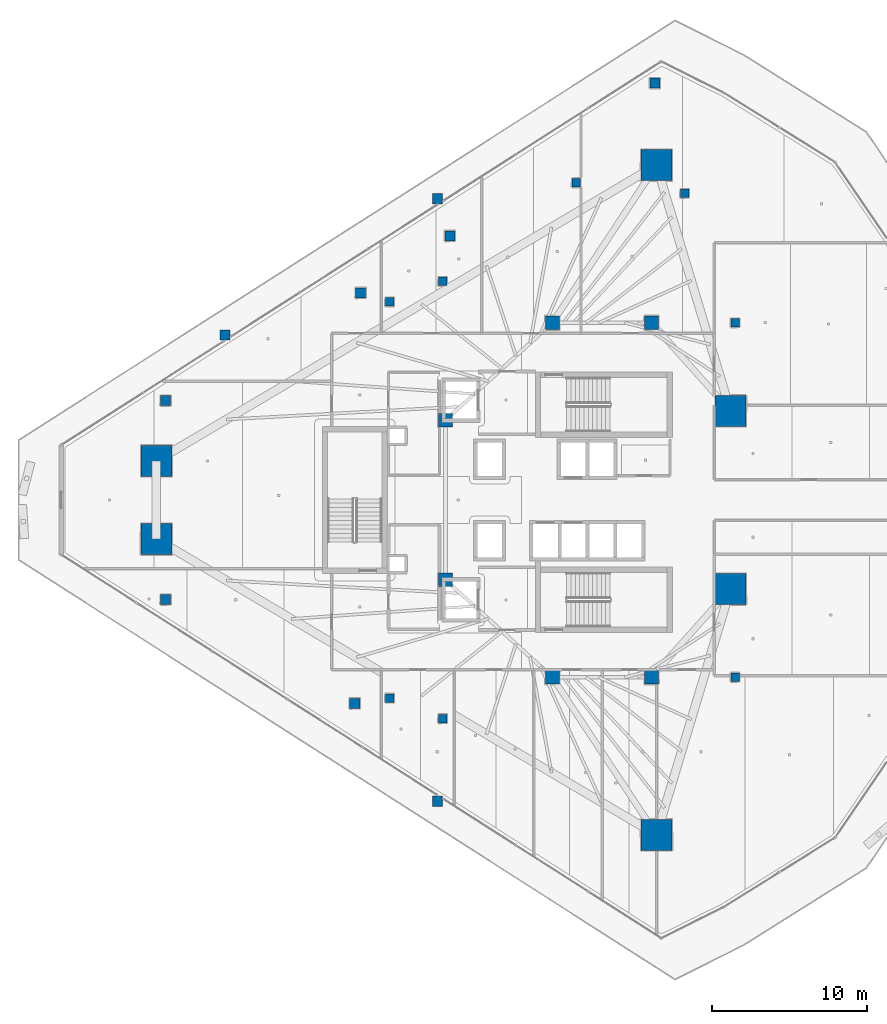
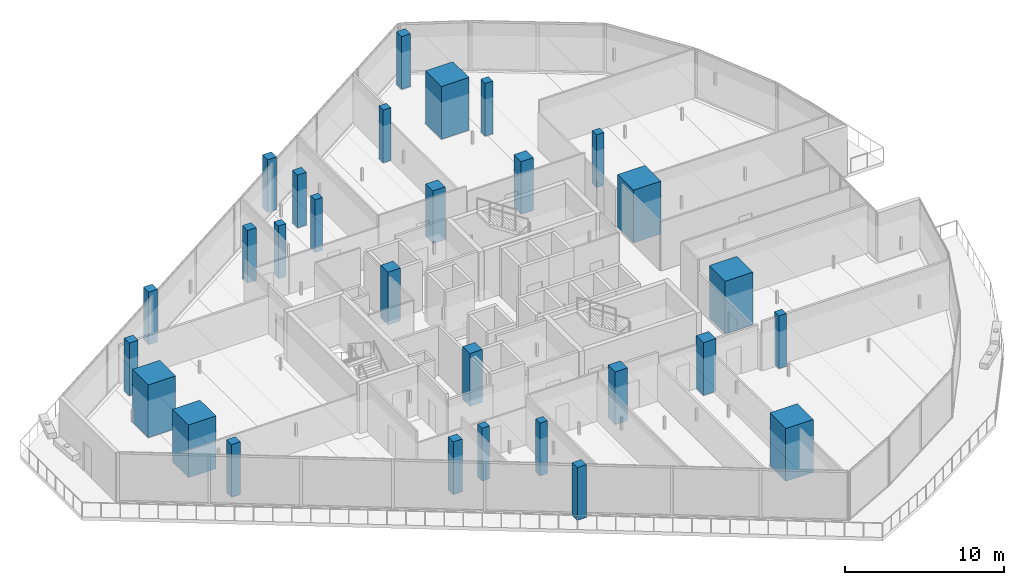
# One storey, part 1 of 37: 29 columns.
"""IFC4 building model written with IfcOpenShell, lengths in metres."""

import ifcopenshell
import ifcopenshell.guid

model = None  # the IFC model being written
_history = None  # IfcOwnerHistory: only IFC2X3 demands one
_inside = {}  # id of a spatial element -> (the spatial element, [elements in it])
_under = {}  # id of a project, library or spatial element -> (it, [spatial elements below it])
_declared = {}  # id of a project -> (the project, [libraries it declares])
_typed = {}  # id of a type object -> (the type object, [elements of that type])
_made_of = {}  # id of a material, layer set ... -> (it, [elements and type objects made of it])


def new_model(schema):
    """Start an empty IFC model of exactly this schema.

    Asked for "IFC4X3", IfcOpenShell would pick the latest addendum, in which some entities
    have other attributes; the version numbers below select the first issue.
    IFC2X3 requires an IfcOwnerHistory on every rooted entity: one is made here for all.
    """
    global model, _history
    if schema == "IFC4X3":
        model = ifcopenshell.file(schema_version=(4, 3, 0, 0))
    else:
        model = ifcopenshell.file(schema=schema)
    _inside.clear()
    _under.clear()
    _declared.clear()
    _typed.clear()
    _made_of.clear()
    _history = None
    if model.schema == "IFC2X3":
        org = make("IfcOrganization", Name="unknown")
        user = make(
            "IfcPersonAndOrganization",
            ThePerson=make("IfcPerson", FamilyName="unknown"),
            TheOrganization=org,
        )
        app = make(
            "IfcApplication",
            ApplicationDeveloper=org,
            Version="unknown",
            ApplicationFullName="unknown",
            ApplicationIdentifier="unknown",
        )
        _history = make(
            "IfcOwnerHistory",
            OwningUser=user,
            OwningApplication=app,
            ChangeAction="ADDED",
            CreationDate=0,
        )
    return model


def make(cls, **values):
    """One entity of the class cls with the attributes given. An attribute that is None is left unset."""
    return model.create_entity(
        cls, **{name: value for name, value in values.items() if value is not None}
    )


def rooted(cls, **values):
    """An entity with a GlobalId (a new one), such as an element, a storey or a relation."""
    return make(cls, GlobalId=ifcopenshell.guid.new(), OwnerHistory=_history, **values)


def si_unit(unit_type, name, prefix=None):
    """IfcSIUnit, for example si_unit("LENGTHUNIT", "METRE", prefix="MILLI")."""
    return make("IfcSIUnit", UnitType=unit_type, Prefix=prefix, Name=name)


def assignment(units):
    """IfcUnitAssignment: the units of a project."""
    return None if units is None else make("IfcUnitAssignment", Units=units)


def point(xyz):
    """IfcCartesianPoint."""
    return None if xyz is None else make("IfcCartesianPoint", Coordinates=xyz)


def direction(xyz):
    """IfcDirection."""
    return None if xyz is None else make("IfcDirection", DirectionRatios=xyz)


def frame(location, z_axis=None, x_axis=None):
    """IfcAxis2Placement3D, a coordinate frame: its origin and axes. An axis left out is left unset."""
    return make(
        "IfcAxis2Placement3D",
        Location=point(location),
        Axis=direction(z_axis),
        RefDirection=direction(x_axis),
    )


def frame_2d(location, x_axis=None):
    """IfcAxis2Placement2D, a coordinate frame in the plane: its origin and x axis."""
    return make(
        "IfcAxis2Placement2D", Location=point(location), RefDirection=direction(x_axis)
    )


def origin():
    """The frame at (0, 0, 0) with its axes left unset."""
    return frame((0.0, 0.0, 0.0))


def origin_2d():
    """The frame at (0, 0) in the plane with its x axis left unset."""
    return frame_2d((0.0, 0.0))


def place(relative_to, where):
    """IfcLocalPlacement: puts the frame where relative to a parent placement (None: the world)."""
    return make(
        "IfcLocalPlacement", PlacementRelTo=relative_to, RelativePlacement=where
    )


def context(
    kind, dimensions, precision=None, world=None, true_north=None, identifier=None
):
    """IfcGeometricRepresentationContext, for example the 3D "Model" context."""
    return make(
        "IfcGeometricRepresentationContext",
        ContextIdentifier=identifier,
        ContextType=kind,
        CoordinateSpaceDimension=dimensions,
        Precision=precision,
        WorldCoordinateSystem=world,
        TrueNorth=true_north,
    )


def subcontext(parent, identifier, kind, view, scale=None):
    """IfcGeometricRepresentationSubContext, for example "Body" below "Model"."""
    return make(
        "IfcGeometricRepresentationSubContext",
        ContextIdentifier=identifier,
        ContextType=kind,
        ParentContext=parent,
        TargetScale=scale,
        TargetView=view,
    )


def project(units=None, contexts=None):
    """IfcProject with its units and contexts."""
    return rooted(
        "IfcProject",
        Name="project",
        RepresentationContexts=contexts,
        UnitsInContext=assignment(units),
    )


def spatial(cls, under=None, at=None, **own):
    """A site, building, storey or space (cls), placed at a placement, below another one or the project."""
    s = rooted(cls, ObjectPlacement=at, **own)
    if under is not None:
        _under.setdefault(under.id(), (under, []))[1].append(s)
    return s


def profile(cls, at=None, kind="AREA", **sizes):
    """A parametric profile (cls). Its sizes go by their IFC names, for example OverallWidth=200.0."""
    return make(cls, ProfileType=kind, Position=at, **sizes)


def rectangle(**sizes):
    """IfcRectangleProfileDef."""
    return profile("IfcRectangleProfileDef", **sizes)


def extrude(swept, where, along, depth):
    """IfcExtrudedAreaSolid: the profile swept, set in the frame where, extruded along a direction by depth."""
    return make(
        "IfcExtrudedAreaSolid",
        SweptArea=swept,
        Position=where,
        ExtrudedDirection=direction(along),
        Depth=depth,
    )


def shape(context_of_items, identifier, shape_type, items):
    """IfcShapeRepresentation: the items that make up one representation, for example the "Body"."""
    return make(
        "IfcShapeRepresentation",
        ContextOfItems=context_of_items,
        RepresentationIdentifier=identifier,
        RepresentationType=shape_type,
        Items=items,
    )


def material(Name=None, Category=None):
    """IfcMaterial."""
    return make("IfcMaterial", Name=Name, Category=Category)


def material_profile(
    of_material, cross_section, Name=None, Category=None, Priority=None
):
    """IfcMaterialProfile: a cross section and its material."""
    return make(
        "IfcMaterialProfile",
        Name=Name,
        Material=of_material,
        Profile=cross_section,
        Priority=Priority,
        Category=Category,
    )


def profile_set(profiles, Name=None, composite=None):
    """IfcMaterialProfileSet."""
    return make(
        "IfcMaterialProfileSet",
        Name=Name,
        MaterialProfiles=profiles,
        CompositeProfile=composite,
    )


def made_of(thing, what):
    """Note that an element or type object is made of a material, layer set ...; save() writes the relation."""
    if what is not None:
        _made_of.setdefault(what.id(), (what, []))[1].append(thing)
    return thing


def type_object(cls, material=None, **own):
    """A type object (cls), such as IfcWallType, which elements share."""
    return made_of(rooted(cls, **own), material)


def element(
    cls,
    number,
    at=None,
    inside=None,
    cuts=None,
    type_object=None,
    material=None,
    context=None,
    identifier="Body",
    shape_type=None,
    held_by="IfcProductDefinitionShape",
    body=None,
    shapes=None,
    **own,
):
    """One element of the class cls, such as IfcWall. Its Tag is "e" and its number.

    at: its placement. inside: the storey or other place that contains it. cuts: it is an
    opening in that element (IfcRelVoidsElement). A single representation is given by context,
    identifier, shape_type and body (its items); several are given by shapes. held_by: the class
    of the entity that holds the representations. save() writes the other relations.
    """
    e = rooted(cls, Tag="e%d" % number, ObjectPlacement=at, **own)
    if body is not None:
        shapes = [shape(context, identifier, shape_type, body)]
    if shapes is not None:
        e.Representation = make(held_by, Representations=shapes)
    if inside is not None:
        _inside.setdefault(inside.id(), (inside, []))[1].append(e)
    if cuts is not None:
        rooted(
            "IfcRelVoidsElement", RelatingBuildingElement=cuts, RelatedOpeningElement=e
        )
    if type_object is not None:
        _typed.setdefault(type_object.id(), (type_object, []))[1].append(e)
    return made_of(e, material)


def aggregate(whole, parts):
    """IfcRelAggregates: a whole, such as a stair, and the parts it consists of."""
    return rooted("IfcRelAggregates", RelatingObject=whole, RelatedObjects=parts)


def save(model, path):
    """Write the relations noted so far, then the file.

    IfcRelAggregates (storeys below a building ...), IfcRelContainedInSpatialStructure (elements
    in a storey), IfcRelDefinesByType, IfcRelAssociatesMaterial and IfcRelDeclares: one each for
    every whole, place, type object, material and project.
    """
    for whole, parts in _under.values():
        aggregate(whole, parts)
    for where, things in _inside.values():
        rooted(
            "IfcRelContainedInSpatialStructure",
            RelatedElements=things,
            RelatingStructure=where,
        )
    for kind, things in _typed.values():
        rooted("IfcRelDefinesByType", RelatedObjects=things, RelatingType=kind)
    for what, things in _made_of.values():
        rooted("IfcRelAssociatesMaterial", RelatedObjects=things, RelatingMaterial=what)
    for by, libraries in _declared.values():
        rooted("IfcRelDeclares", RelatingContext=by, RelatedDefinitions=libraries)
    model.write(path)


model = new_model("IFC4")

# Units and contexts
model_context = context("Model", 3, precision=1e-05, world=origin(), true_north=direction((0.0, 1.0)))
body_context = subcontext(model_context, "Body", "Model", "MODEL_VIEW")
ifc_project = project(units=[si_unit("LENGTHUNIT", "METRE"), si_unit("AREAUNIT", "SQUARE_METRE"), si_unit("VOLUMEUNIT", "CUBIC_METRE"), si_unit("PLANEANGLEUNIT", "RADIAN"), si_unit("MASSUNIT", "GRAM", prefix="KILO")], contexts=[model_context])

# Site, building, storey
site_placement = place(None, origin())
site = spatial("IfcSite", under=ifc_project, at=site_placement, CompositionType="ELEMENT")
building_placement = place(site_placement, origin())
building = spatial("IfcBuilding", under=site, at=building_placement, Name="Qorvath Tower", CompositionType="ELEMENT")
storey_placement = place(building_placement, frame((0.0, 0.0, 184.800048828125)))
storey = spatial("IfcBuildingStorey", under=building, at=storey_placement, Name="L42", CompositionType="ELEMENT", Elevation=184.800048828125)

# Columns
ifc_material_1 = material(Name="Concrete C60/75", Category="concrete")
ifc_material_profile_1 = material_profile(ifc_material_1, rectangle(XDim=2.0, YDim=2.0, at=origin_2d()), Name="MC 2000x2000")
ifc_profile_set_1 = profile_set([ifc_material_profile_1], Name="Concrete C60/75")
column_type_1 = type_object("IfcColumnType", Name="COL-MC3", PredefinedType="COLUMN", material=ifc_profile_set_1)
for number, where, z_axis, x_axis, name in (
    (1, (-49.171875, 2.52783203125, 0.0), (0.0, 0.0, 1.0), (1.0, 0.0, 0.0), "Composite Mega-Column MC1 L42"),
    (2, (-49.171875, -2.52783203125, 0.0), (0.0, 0.0, 1.0), (1.0, 0.0, 0.0), "Composite Mega-Column MC2 L42"),
    (3, (-16.87158203125, -21.627197265625, 0.0), (0.0, 0.0, 1.0), (1.0, 0.0, 0.0), "Composite Mega-Column MC3 L42"),
    (4, (-12.0966796875, -5.7578125, 0.0), (0.0, 0.0, 1.0), (1.0, 0.0, 0.0), "Composite Mega-Column MC4 L42"),
    (5, (-12.0966796875, 5.7578125, 0.0), (0.0, 0.0, 1.0), (1.0, 0.0, 0.0), "Composite Mega-Column MC5 L42"),
    (6, (-16.87158203125, 21.627197265625, 0.0), (0.0, 0.0, 1.0), (1.0, 0.0, 0.0), "Composite Mega-Column MC6 L42"),
):
    element("IfcColumn", number, at=place(storey_placement, frame(where, z_axis=z_axis, x_axis=x_axis)), inside=storey, type_object=column_type_1, Name=name, PredefinedType="COLUMN", context=body_context, shape_type="SweptSolid", body=[
        extrude(rectangle(XDim=2.0, YDim=2.0, at=origin_2d()), origin(), (0.0, 0.0, 1.0), 4.050048828125),
    ])
ifc_material_2 = material(Name="Concrete C50/60", Category="concrete")
ifc_material_profile_2 = material_profile(ifc_material_2, rectangle(XDim=0.89990234375, YDim=0.89990234375, at=origin_2d()), Name="RC 900x900")
ifc_profile_set_2 = profile_set([ifc_material_profile_2], Name="Concrete C50/60")
column_type_2 = type_object("IfcColumnType", Name="COL-RC3", PredefinedType="COLUMN", material=ifc_profile_set_2)
for number, where, z_axis, x_axis, name in (
    (7, (-23.60009765625, 11.449951171875, 0.0), (0.0, 0.0, 1.0), (1.0, 0.0, 0.0), "Core Spine Column CC1 L42"),
    (8, (-17.199951171875, 11.449951171875, 0.0), (0.0, 0.0, 1.0), (1.0, 0.0, 0.0), "Core Spine Column CC2 L42"),
    (9, (-17.199951171875, -11.449951171875, 0.0), (0.0, 0.0, 1.0), (1.0, 0.0, 0.0), "Core Spine Column CC3 L42"),
    (10, (-23.60009765625, -11.449951171875, 0.0), (0.0, 0.0, 1.0), (1.0, 0.0, 0.0), "Core Spine Column CC4 L42"),
    (11, (-30.5, 5.14990234375, 0.0), (0.0, 0.0, 1.0), (1.0, 0.0, 0.0), "Core Spine Column CC5 L42"),
    (12, (-30.5, -5.14990234375, 0.0), (0.0, 0.0, 1.0), (1.0, 0.0, 0.0), "Core Spine Column CC6 L42"),
):
    element("IfcColumn", number, at=place(storey_placement, frame(where, z_axis=z_axis, x_axis=x_axis)), inside=storey, type_object=column_type_2, Name=name, PredefinedType="COLUMN", context=body_context, shape_type="SweptSolid", body=[
        extrude(rectangle(XDim=0.89990234375, YDim=0.89990234375, at=origin_2d()), origin(), (0.0, 0.0, 1.0), 4.050048828125),
    ])
ifc_material_3 = material(Name="Concrete C45/55", Category="concrete")
ifc_material_profile_3 = material_profile(ifc_material_3, rectangle(XDim=0.64990234375, YDim=0.64990234375, at=origin_2d()), Name="RC 650x650")
ifc_profile_set_3 = profile_set([ifc_material_profile_3], Name="Concrete C45/55")
column_type_3 = type_object("IfcColumnType", Name="COL-RC6", PredefinedType="COLUMN", material=ifc_profile_set_3)
for number, where, z_axis, x_axis, name in (
    (13, (-31.01611328125, 19.46044921875, 0.0), (0.0, 0.0, 1.0), (1.0, 0.0, 0.0), "Loggia Frame Pier Column LGD1 L42"),
    (14, (-31.01611328125, -19.46044921875, 0.0), (0.0, 0.0, 1.0), (1.0, 0.0, 0.0), "Loggia Frame Pier Column LGD2 L42"),
    (15, (-44.736328125, 10.65234375, 0.0), (0.0, 0.0, 1.0), (1.0, 0.0, 0.0), "Loggia Frame Pier Column LGD3 L42"),
    (16, (-48.578369140625, 6.424560546875, 0.0), (0.0, 0.0, 1.0), (1.0, 0.0, 0.0), "Loggia Frame Pier Column LGE1 L42"),
    (17, (-48.578369140625, -6.424560546875, 0.0), (0.0, 0.0, 1.0), (1.0, 0.0, 0.0), "Loggia Frame Pier Column LGE2 L42"),
    (18, (-16.981201171875, 26.92919921875, 0.0), (0.0, 0.0, 1.0), (1.0, 0.0, 0.0), "Loggia Frame Pier Column LGE3 L42"),
    (19, (-35.980712890625, 13.380859375, 0.0), (0.0, 0.0, 1.0), (1.0, 0.0, 0.0), "Loggia Frame Pier Column LGF1 L42"),
    (20, (-36.36474609375, -13.135498046875, 0.0), (0.0, 0.0, 1.0), (1.0, 0.0, 0.0), "Loggia Frame Pier Column LGF2 L42"),
    (21, (-30.224853515625, 17.0595703125, 0.0), (0.0, 0.0, 1.0), (1.0, 0.0, 0.0), "Loggia Frame Pier Column LGF3 L42"),
):
    element("IfcColumn", number, at=place(storey_placement, frame(where, z_axis=z_axis, x_axis=x_axis)), inside=storey, type_object=column_type_3, Name=name, PredefinedType="COLUMN", context=body_context, shape_type="SweptSolid", body=[
        extrude(rectangle(XDim=0.64990234375, YDim=0.64990234375, at=origin_2d()), origin(), (0.0, 0.0, 1.0), 4.050048828125),
    ])
ifc_material_4 = material(Name="Concrete C45/55", Category="concrete")
ifc_material_profile_4 = material_profile(ifc_material_4, rectangle(XDim=0.550048828125, YDim=0.550048828125, at=origin_2d()), Name="RC 550x550")
ifc_profile_set_4 = profile_set([ifc_material_profile_4], Name="Concrete C45/55")
column_type_4 = type_object("IfcColumnType", Name="COL-RC7", PredefinedType="COLUMN", material=ifc_profile_set_4)
for number, where, z_axis, x_axis, name in (
    (22, (-34.104248046875, 12.79248046875, 0.0), (0.0, 0.0, 1.0), (1.0, 0.0, 0.0), "Loggia Frame Pier Column LGG1 L42"),
    (23, (-34.104248046875, -12.79248046875, 0.0), (0.0, 0.0, 1.0), (1.0, 0.0, 0.0), "Loggia Frame Pier Column LGG2 L42"),
    (24, (-22.05322265625, 20.494873046875, 0.0), (0.0, 0.0, 1.0), (1.0, 0.0, 0.0), "Loggia Frame Pier Column LGG3 L42"),
    (25, (-30.67724609375, 14.124267578125, 0.0), (0.0, 0.0, 1.0), (1.0, 0.0, 0.0), "Loggia Frame Pier Column LGH1 L42"),
    (26, (-30.67724609375, -14.124267578125, 0.0), (0.0, 0.0, 1.0), (1.0, 0.0, 0.0), "Loggia Frame Pier Column LGH2 L42"),
    (27, (-15.046142578125, 19.818115234375, 0.0), (0.0, 0.0, 1.0), (1.0, 0.0, 0.0), "Loggia Frame Pier Column LGH3 L42"),
    (28, (-11.800048828125, -11.449951171875, 0.0), (0.0, 0.0, 1.0), (1.0, 0.0, 0.0), "Central Slot Jamb Column SC1 L42"),
    (29, (-11.800048828125, 11.449951171875, 0.0), (0.0, 0.0, 1.0), (1.0, 0.0, 0.0), "Central Slot Jamb Column SC2 L42"),
):
    element("IfcColumn", number, at=place(storey_placement, frame(where, z_axis=z_axis, x_axis=x_axis)), inside=storey, type_object=column_type_4, Name=name, PredefinedType="COLUMN", context=body_context, shape_type="SweptSolid", body=[
        extrude(rectangle(XDim=0.550048828125, YDim=0.550048828125, at=origin_2d()), origin(), (0.0, 0.0, 1.0), 4.050048828125),
    ])

save(model, "model.ifc")
